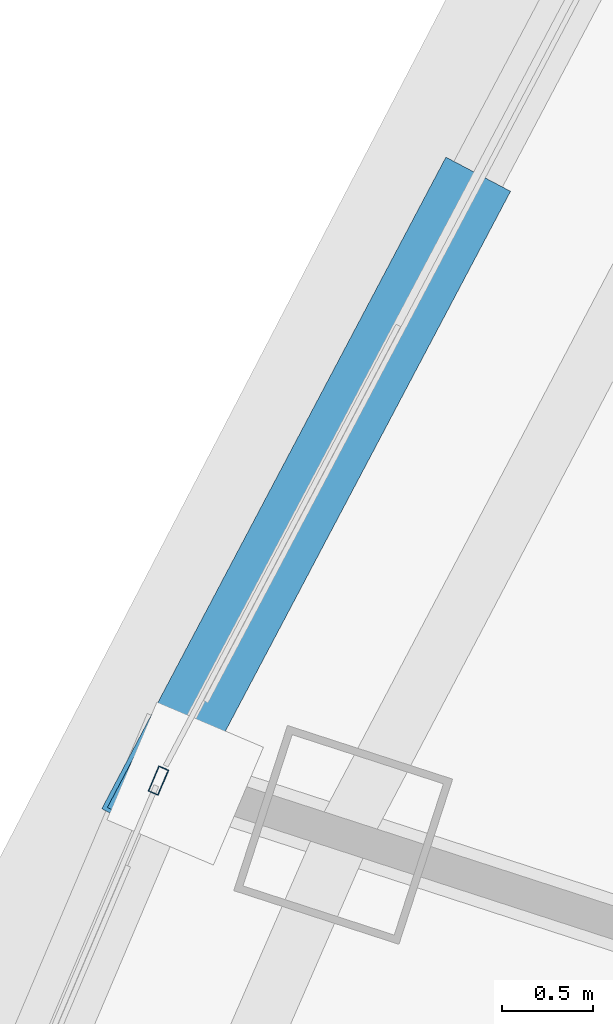
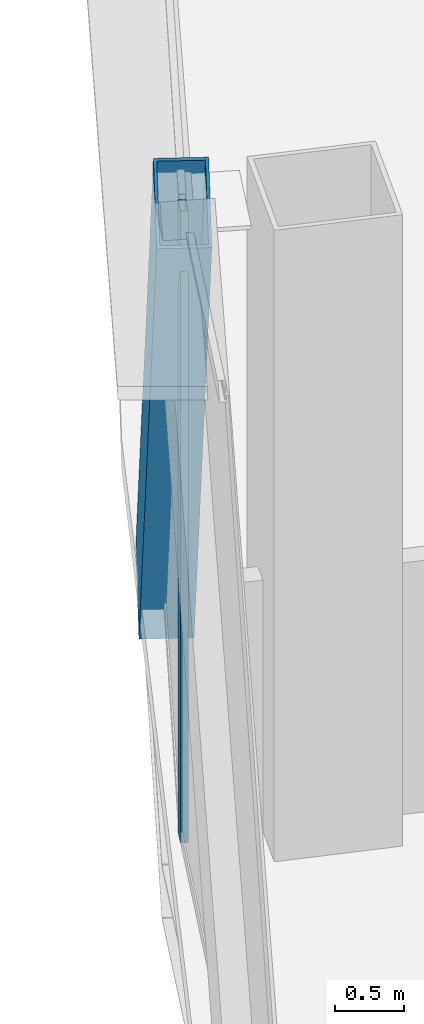
# One storey, part 8 of 40: 2 members, 1 element without a shape of its own.
"""IFC4 building model written with IfcOpenShell, lengths in metres."""

from ifc_helpers import new_model, si_unit, direction, frame, origin, origin_2d, place, context, subcontext, project, spatial, hollow_rectangle, extrude, source, transform, mapped, material, layer, layer_set, material_profile, profile_set, type_object, element, aggregate, save


model = new_model("IFC4")

# Units and contexts
model_context = context("Model", 3, precision=1e-05, world=origin(), true_north=direction((0.0, 1.0)))
body_context = subcontext(model_context, "Body", "Model", "MODEL_VIEW")
ifc_project = project(units=[si_unit("LENGTHUNIT", "METRE"), si_unit("AREAUNIT", "SQUARE_METRE"), si_unit("VOLUMEUNIT", "CUBIC_METRE"), si_unit("PLANEANGLEUNIT", "RADIAN"), si_unit("MASSUNIT", "GRAM", prefix="KILO"), si_unit("THERMODYNAMICTEMPERATUREUNIT", "KELVIN"), si_unit("POWERUNIT", "WATT")], contexts=[model_context])

# Site, building, storey
site_placement = place(None, origin())
site = spatial("IfcSite", under=ifc_project, at=site_placement, CompositionType="ELEMENT")
building_placement = place(site_placement, origin())
building = spatial("IfcBuilding", under=site, at=building_placement, Name="Yunzhuo Pagoda Commons", CompositionType="ELEMENT")
storey_placement = place(building_placement, frame((0.0, 0.0, 170.31005859375)))
storey = spatial("IfcBuildingStorey", under=building, at=storey_placement, Name="L43", CompositionType="ELEMENT", Elevation=170.31005859375)

# Member
ifc_material_1 = material(Name="Structural steel Q355B", Category="steel")
ifc_material_profile_1 = material_profile(ifc_material_1, hollow_rectangle(XDim=0.39990234375, YDim=0.719970703125, WallThickness=0.02392578125, at=origin_2d()), Name="Structural steel Q355B")
ifc_profile_set_1 = profile_set([ifc_material_profile_1], Name="Structural steel Q355B")
member_type_1 = type_object("IfcMemberType", Name="M-DL2 Brace BOX 720x400x24", PredefinedType="BRACE", material=ifc_profile_set_1)
shared_shape_1 = source(origin(), body_context, "Body", "SweptSolid", [
    extrude(hollow_rectangle(XDim=0.39990234375, YDim=0.719970703125, WallThickness=0.02392578125, at=origin_2d()), origin(), (0.0, 0.0, 1.0), 6.753173828125),
])
member_1_placement = place(storey_placement, frame((18.67822265625, 46.7587890625, -0.260009765625), z_axis=(-0.235743556451, -0.446325708933, 0.863260295124), x_axis=(0.884235240948, -0.467041795417, 0.0)))
element("IfcMember", 1, at=member_1_placement, inside=storey, type_object=member_type_1, Name="L43 facade diamond brace F3.2R", PredefinedType="BRACE", context=body_context, shape_type="MappedRepresentation", body=[
    mapped(shared_shape_1, transform((0.0, 0.0, 0.0), scale=1.0)),
])

# Curtain wall, member
ifc_material_2 = material(Name="Anodized aluminium 6063-T6", Category="aluminium")
ifc_layer = layer(ifc_material_2, 0.14990234375)
ifc_layer_set = layer_set([ifc_layer], Name="Anodized aluminium 6063-T6")
curtain_wall_type = type_object("IfcCurtainWallType", Name="CW-MID Mid-Zone Ribbon Curtain Wall", PredefinedType="NOTDEFINED", material=ifc_layer_set)
curtain_wall_placement = place(storey_placement, origin())
curtain_wall = element("IfcCurtainWall", 2, at=curtain_wall_placement, inside=storey, type_object=curtain_wall_type, Name="L43 curtain wall CW-L43-F3B4", PredefinedType="NOTDEFINED")
ifc_material_profile_2 = material_profile(ifc_material_2, hollow_rectangle(XDim=0.06005859375, YDim=0.14990234375, WallThickness=0.00390625, at=origin_2d()), Name="Anodized aluminium 6063-T6")
ifc_profile_set_2 = profile_set([ifc_material_profile_2], Name="Anodized aluminium 6063-T6")
member_type_2 = type_object("IfcMemberType", Name="CW-MID-M Mullion RHS 150x60x4", PredefinedType="MULLION", material=ifc_profile_set_2)
shared_shape_2 = source(origin(), body_context, "Body", "SweptSolid", [
    extrude(hollow_rectangle(XDim=0.06005859375, YDim=0.14990234375, WallThickness=0.00390625, at=origin_2d()), origin(), (0.0, 0.0, 1.0), 5.56982421875),
])
member_2_placement = place(storey_placement, frame((17.074462890625, 43.717041015625, 0.0), z_axis=(0.0, 0.0, 1.0), x_axis=(0.920363798122, -0.391063267395, 0.0)))
member_2 = element("IfcMember", 3, at=member_2_placement, type_object=member_type_2, Name="CW mullion 1", PredefinedType="MULLION", context=body_context, shape_type="MappedRepresentation", body=[
    mapped(shared_shape_2, transform((0.0, 0.0, 0.0), scale=1.0)),
])
aggregate(curtain_wall, [member_2])

save(model, "model.ifc")
